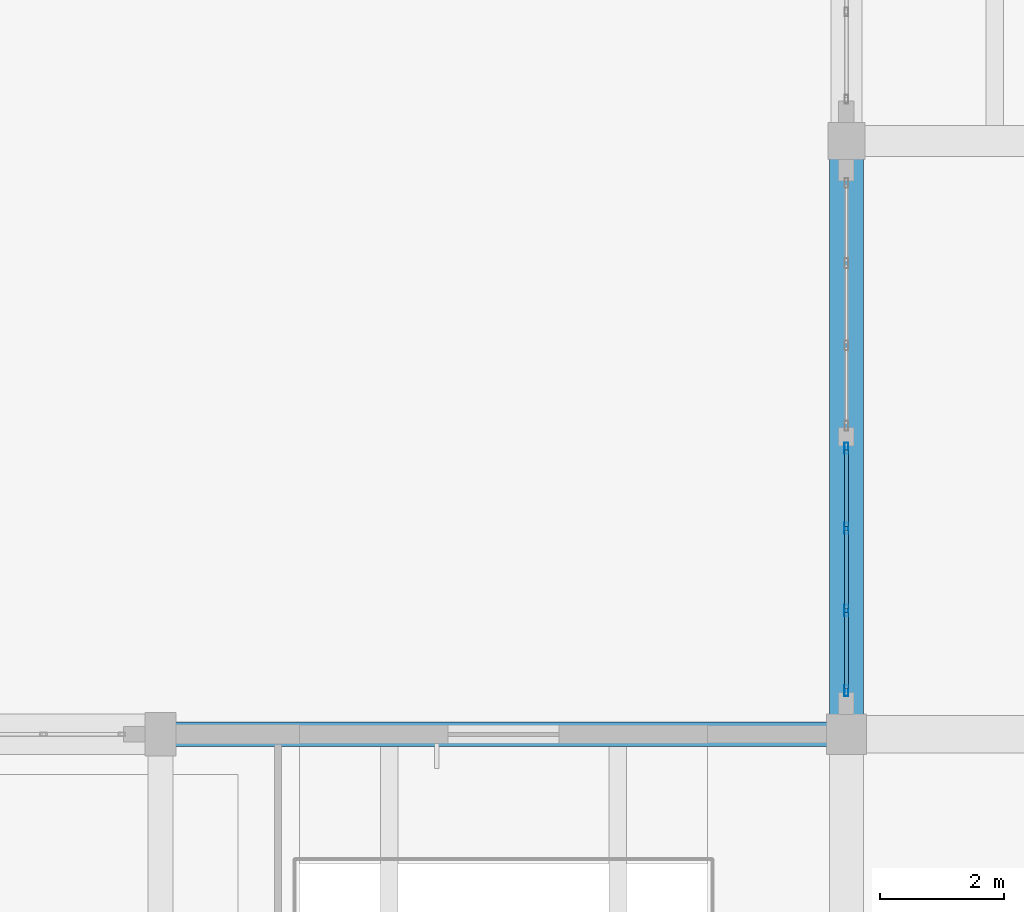
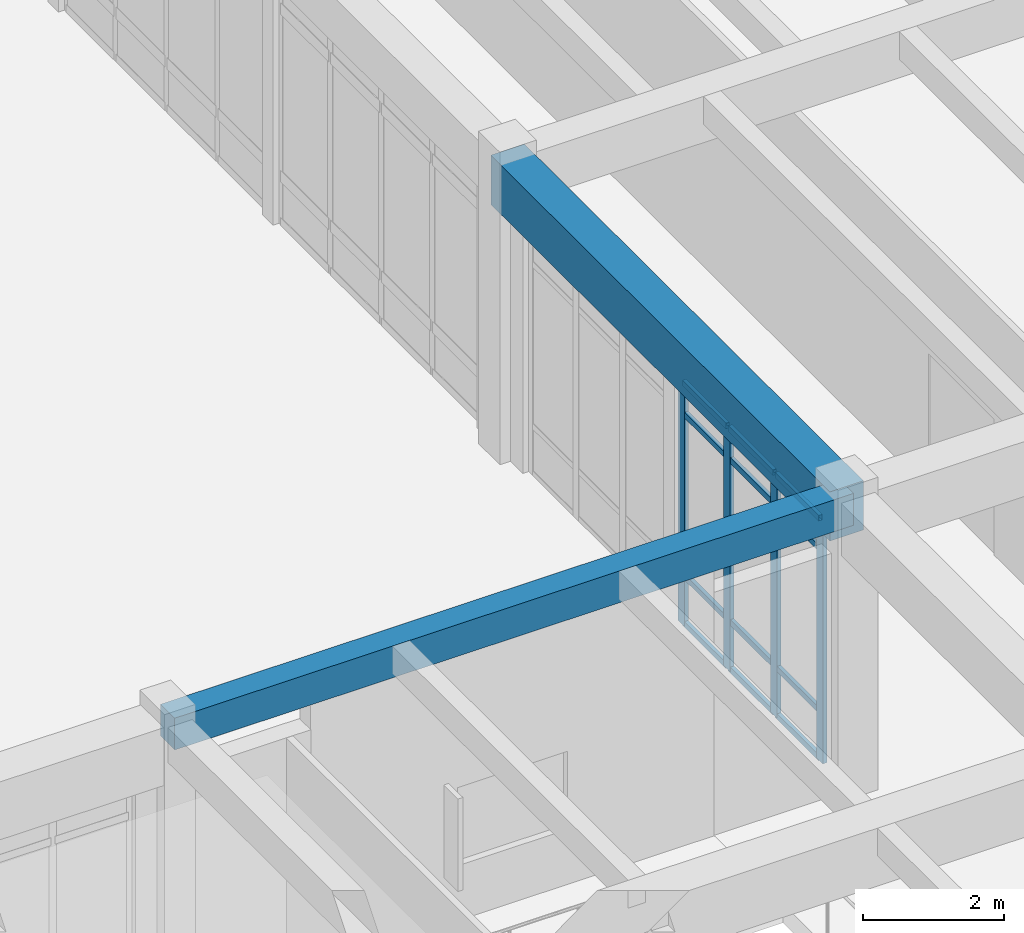
# One storey, part 28 of 138: 16 members, 2 beams, 1 element without a shape of its own.
"""IFC4 building model written with IfcOpenShell, lengths in metres."""

from ifc_helpers import new_model, si_unit, direction, frame, origin, origin_2d, place, context, subcontext, project, spatial, rectangle, hollow_rectangle, extrude, material, layer, layer_set, material_profile, profile_set, type_object, element, aggregate, save


model = new_model("IFC4")

# Units and contexts
model_context = context("Model", 3, precision=1e-05, world=origin(), true_north=direction((0.0, 1.0)))
body_context = subcontext(model_context, "Body", "Model", "MODEL_VIEW")
ifc_project = project(units=[si_unit("LENGTHUNIT", "METRE"), si_unit("AREAUNIT", "SQUARE_METRE"), si_unit("VOLUMEUNIT", "CUBIC_METRE"), si_unit("PLANEANGLEUNIT", "RADIAN"), si_unit("MASSUNIT", "GRAM", prefix="KILO")], contexts=[model_context])

# Site, building, storey
site_placement = place(None, origin())
site = spatial("IfcSite", under=ifc_project, at=site_placement, CompositionType="ELEMENT")
building_placement = place(site_placement, origin())
building = spatial("IfcBuilding", under=site, at=building_placement, Name="Fikremerkos Civic Library", CompositionType="ELEMENT")
storey_placement = place(building_placement, origin())
storey = spatial("IfcBuildingStorey", under=building, at=storey_placement, Name="L00", CompositionType="ELEMENT", Elevation=0.0)

# Curtain wall, members
ifc_material_1 = material(Name="Anodized aluminium Frame", Category="aluminium")
ifc_layer = layer(ifc_material_1, 0.159912109375, Name="Anodized aluminium Frame")
ifc_layer_set = layer_set([ifc_layer], Name="Anodized aluminium Frame")
curtain_wall_type = type_object("IfcCurtainWallType", Name="Unitised curtain wall CW-05 3800x4100", PredefinedType="USERDEFINED", material=ifc_layer_set)
curtain_wall_placement = place(storey_placement, origin())
curtain_wall = element("IfcCurtainWall", 1, at=curtain_wall_placement, inside=storey, type_object=curtain_wall_type, Name="Unitised curtain wall CW-05 L00 #23", ObjectType="UNITISED CURTAIN WALL", PredefinedType="USERDEFINED")
ifc_material_profile_1 = material_profile(ifc_material_1, hollow_rectangle(XDim=0.06494140625, YDim=0.179931640625, WallThickness=0.00439453125, at=origin_2d()), Name="ALU 180x65x4.5")
ifc_profile_set_1 = profile_set([ifc_material_profile_1], Name="Anodized aluminium Frame")
member_type_1 = type_object("IfcMemberType", Name="Curtain mullion CWM-01 ALU 180x65x4.5", PredefinedType="MULLION", material=ifc_profile_set_1)
member_1_placement = place(storey_placement, frame((124.800048828125, 48.70556640625, 0.0), z_axis=(0.0, 0.0, 1.0), x_axis=(-1.0, 0.0, 0.0)))
member_1 = element("IfcMember", 2, at=member_1_placement, type_object=member_type_1, Name="CW-05 mullion 1", PredefinedType="MULLION", context=body_context, shape_type="SweptSolid", body=[
    extrude(hollow_rectangle(XDim=0.06494140625, YDim=0.179931640625, WallThickness=0.00439453125, at=origin_2d()), origin(), (0.0, 0.0, 1.0), 4.199951171875),
])
member_2_placement = place(storey_placement, frame((124.800048828125, 50.0029296875, 0.0), z_axis=(0.0, 0.0, 1.0), x_axis=(-1.0, 0.0, 0.0)))
member_2 = element("IfcMember", 3, at=member_2_placement, type_object=member_type_1, Name="CW-05 mullion 2", PredefinedType="MULLION", context=body_context, shape_type="SweptSolid", body=[
    extrude(hollow_rectangle(XDim=0.06494140625, YDim=0.179931640625, WallThickness=0.00439453125, at=origin_2d()), origin(), (0.0, 0.0, 1.0), 4.199951171875),
])
member_3_placement = place(storey_placement, frame((124.800048828125, 51.332763671875, 0.0), z_axis=(0.0, 0.0, 1.0), x_axis=(-1.0, 0.0, 0.0)))
member_3 = element("IfcMember", 4, at=member_3_placement, type_object=member_type_1, Name="CW-05 mullion 3", PredefinedType="MULLION", context=body_context, shape_type="SweptSolid", body=[
    extrude(hollow_rectangle(XDim=0.06494140625, YDim=0.179931640625, WallThickness=0.00439453125, at=origin_2d()), origin(), (0.0, 0.0, 1.0), 4.199951171875),
])
member_4_placement = place(storey_placement, frame((124.800048828125, 52.6298828125, 0.0), z_axis=(0.0, 0.0, 1.0), x_axis=(-1.0, 0.0, 0.0)))
member_4 = element("IfcMember", 5, at=member_4_placement, type_object=member_type_1, Name="CW-05 mullion 4", PredefinedType="MULLION", context=body_context, shape_type="SweptSolid", body=[
    extrude(hollow_rectangle(XDim=0.06494140625, YDim=0.179931640625, WallThickness=0.00439453125, at=origin_2d()), origin(), (0.0, 0.0, 1.0), 4.199951171875),
])
ifc_material_profile_2 = material_profile(ifc_material_1, hollow_rectangle(XDim=0.06005859375, YDim=0.10009765625, WallThickness=0.00390625, at=origin_2d()), Name="ALU 100x60x4")
ifc_profile_set_2 = profile_set([ifc_material_profile_2], Name="Anodized aluminium Frame")
member_type_2 = type_object("IfcMemberType", Name="Curtain transom CWT-03 ALU 100x60x4", PredefinedType="USERDEFINED", material=ifc_profile_set_2)
member_5_placement = place(storey_placement, frame((124.800048828125, 48.738037109375, 0.030029296875), z_axis=(0.0, 1.0, 0.0), x_axis=(-1.0, 0.0, 0.0)))
member_5 = element("IfcMember", 6, at=member_5_placement, type_object=member_type_2, Name="CW-05 transom 1.1", ObjectType="TRANSOM", PredefinedType="USERDEFINED", context=body_context, shape_type="SweptSolid", body=[
    extrude(hollow_rectangle(XDim=0.06005859375, YDim=0.10009765625, WallThickness=0.00390625, at=origin_2d()), origin(), (0.0, 0.0, 1.0), 1.232177734375),
])
member_6_placement = place(storey_placement, frame((124.800048828125, 48.738037109375, 0.85009765625), z_axis=(0.0, 1.0, 0.0), x_axis=(-1.0, 0.0, 0.0)))
member_6 = element("IfcMember", 7, at=member_6_placement, type_object=member_type_2, Name="CW-05 transom 1.2", ObjectType="TRANSOM", PredefinedType="USERDEFINED", context=body_context, shape_type="SweptSolid", body=[
    extrude(hollow_rectangle(XDim=0.06005859375, YDim=0.10009765625, WallThickness=0.00390625, at=origin_2d()), origin(), (0.0, 0.0, 1.0), 1.232177734375),
])
member_7_placement = place(storey_placement, frame((124.800048828125, 48.738037109375, 3.64990234375), z_axis=(0.0, 1.0, 0.0), x_axis=(-1.0, 0.0, 0.0)))
member_7 = element("IfcMember", 8, at=member_7_placement, type_object=member_type_2, Name="CW-05 transom 1.3", ObjectType="TRANSOM", PredefinedType="USERDEFINED", context=body_context, shape_type="SweptSolid", body=[
    extrude(hollow_rectangle(XDim=0.06005859375, YDim=0.10009765625, WallThickness=0.00390625, at=origin_2d()), origin(), (0.0, 0.0, 1.0), 1.232177734375),
])
member_8_placement = place(storey_placement, frame((124.800048828125, 48.738037109375, 4.169921875), z_axis=(0.0, 1.0, 0.0), x_axis=(-1.0, 0.0, 0.0)))
member_8 = element("IfcMember", 9, at=member_8_placement, type_object=member_type_2, Name="CW-05 transom 1.4", ObjectType="TRANSOM", PredefinedType="USERDEFINED", context=body_context, shape_type="SweptSolid", body=[
    extrude(hollow_rectangle(XDim=0.06005859375, YDim=0.10009765625, WallThickness=0.00390625, at=origin_2d()), origin(), (0.0, 0.0, 1.0), 1.232177734375),
])
member_9_placement = place(storey_placement, frame((124.800048828125, 50.035400390625, 0.030029296875), z_axis=(0.0, 1.0, 0.0), x_axis=(-1.0, 0.0, 0.0)))
member_9 = element("IfcMember", 10, at=member_9_placement, type_object=member_type_2, Name="CW-05 transom 2.1", ObjectType="TRANSOM", PredefinedType="USERDEFINED", context=body_context, shape_type="SweptSolid", body=[
    extrude(hollow_rectangle(XDim=0.06005859375, YDim=0.10009765625, WallThickness=0.00390625, at=origin_2d()), origin(), (0.0, 0.0, 1.0), 1.2646484375),
])
member_10_placement = place(storey_placement, frame((124.800048828125, 50.035400390625, 0.85009765625), z_axis=(0.0, 1.0, 0.0), x_axis=(-1.0, 0.0, 0.0)))
member_10 = element("IfcMember", 11, at=member_10_placement, type_object=member_type_2, Name="CW-05 transom 2.2", ObjectType="TRANSOM", PredefinedType="USERDEFINED", context=body_context, shape_type="SweptSolid", body=[
    extrude(hollow_rectangle(XDim=0.06005859375, YDim=0.10009765625, WallThickness=0.00390625, at=origin_2d()), origin(), (0.0, 0.0, 1.0), 1.2646484375),
])
member_11_placement = place(storey_placement, frame((124.800048828125, 50.035400390625, 3.64990234375), z_axis=(0.0, 1.0, 0.0), x_axis=(-1.0, 0.0, 0.0)))
member_11 = element("IfcMember", 12, at=member_11_placement, type_object=member_type_2, Name="CW-05 transom 2.3", ObjectType="TRANSOM", PredefinedType="USERDEFINED", context=body_context, shape_type="SweptSolid", body=[
    extrude(hollow_rectangle(XDim=0.06005859375, YDim=0.10009765625, WallThickness=0.00390625, at=origin_2d()), origin(), (0.0, 0.0, 1.0), 1.2646484375),
])
member_12_placement = place(storey_placement, frame((124.800048828125, 50.035400390625, 4.169921875), z_axis=(0.0, 1.0, 0.0), x_axis=(-1.0, 0.0, 0.0)))
member_12 = element("IfcMember", 13, at=member_12_placement, type_object=member_type_2, Name="CW-05 transom 2.4", ObjectType="TRANSOM", PredefinedType="USERDEFINED", context=body_context, shape_type="SweptSolid", body=[
    extrude(hollow_rectangle(XDim=0.06005859375, YDim=0.10009765625, WallThickness=0.00390625, at=origin_2d()), origin(), (0.0, 0.0, 1.0), 1.2646484375),
])
member_13_placement = place(storey_placement, frame((124.800048828125, 51.365234375, 0.030029296875), z_axis=(0.0, 1.0, 0.0), x_axis=(-1.0, 0.0, 0.0)))
member_13 = element("IfcMember", 14, at=member_13_placement, type_object=member_type_2, Name="CW-05 transom 3.1", ObjectType="TRANSOM", PredefinedType="USERDEFINED", context=body_context, shape_type="SweptSolid", body=[
    extrude(hollow_rectangle(XDim=0.06005859375, YDim=0.10009765625, WallThickness=0.00390625, at=origin_2d()), origin(), (0.0, 0.0, 1.0), 1.232177734375),
])
member_14_placement = place(storey_placement, frame((124.800048828125, 51.365234375, 0.85009765625), z_axis=(0.0, 1.0, 0.0), x_axis=(-1.0, 0.0, 0.0)))
member_14 = element("IfcMember", 15, at=member_14_placement, type_object=member_type_2, Name="CW-05 transom 3.2", ObjectType="TRANSOM", PredefinedType="USERDEFINED", context=body_context, shape_type="SweptSolid", body=[
    extrude(hollow_rectangle(XDim=0.06005859375, YDim=0.10009765625, WallThickness=0.00390625, at=origin_2d()), origin(), (0.0, 0.0, 1.0), 1.232177734375),
])
member_15_placement = place(storey_placement, frame((124.800048828125, 51.365234375, 3.64990234375), z_axis=(0.0, 1.0, 0.0), x_axis=(-1.0, 0.0, 0.0)))
member_15 = element("IfcMember", 16, at=member_15_placement, type_object=member_type_2, Name="CW-05 transom 3.3", ObjectType="TRANSOM", PredefinedType="USERDEFINED", context=body_context, shape_type="SweptSolid", body=[
    extrude(hollow_rectangle(XDim=0.06005859375, YDim=0.10009765625, WallThickness=0.00390625, at=origin_2d()), origin(), (0.0, 0.0, 1.0), 1.232177734375),
])
member_16_placement = place(storey_placement, frame((124.800048828125, 51.365234375, 4.169921875), z_axis=(0.0, 1.0, 0.0), x_axis=(-1.0, 0.0, 0.0)))
member_16 = element("IfcMember", 17, at=member_16_placement, type_object=member_type_2, Name="CW-05 transom 3.4", ObjectType="TRANSOM", PredefinedType="USERDEFINED", context=body_context, shape_type="SweptSolid", body=[
    extrude(hollow_rectangle(XDim=0.06005859375, YDim=0.10009765625, WallThickness=0.00390625, at=origin_2d()), origin(), (0.0, 0.0, 1.0), 1.232177734375),
])
aggregate(curtain_wall, [member_1, member_2, member_3, member_4, member_5, member_6, member_7, member_8, member_9, member_10, member_11, member_12, member_13, member_14, member_15, member_16])

# Beams
ifc_material_2 = material(Name="Concrete C40/50", Category="concrete")
ifc_material_profile_3 = material_profile(ifc_material_2, rectangle(XDim=0.550048828125, YDim=0.85009765625, at=origin_2d()), Name="RC 550x850")
ifc_profile_set_3 = profile_set([ifc_material_profile_3], Name="Concrete C40/50")
beam_type_1 = type_object("IfcBeamType", Name="Primary girder BM-03 RC 550x850", PredefinedType="BEAM", material=ifc_profile_set_3)
beam_1_placement = place(storey_placement, frame((124.800048828125, 48.0, 4.735107421875), z_axis=(0.0, 1.0, 0.0), x_axis=(-1.0, 0.0, 0.0)))
element("IfcBeam", 18, at=beam_1_placement, inside=storey, type_object=beam_type_1, Name="Primary girder BM-03 L00 grid 11", PredefinedType="BEAM", context=body_context, shape_type="SweptSolid", body=[
    extrude(rectangle(XDim=0.550048828125, YDim=0.85009765625, at=origin_2d()), origin(), (0.0, 0.0, 1.0), 9.60009765625),
])
ifc_material_profile_4 = material_profile(ifc_material_2, rectangle(XDim=0.39990234375, YDim=0.550048828125, at=origin_2d()), Name="RC 400x550")
ifc_profile_set_4 = profile_set([ifc_material_profile_4], Name="Concrete C40/50")
beam_type_2 = type_object("IfcBeamType", Name="Primary girder BM-26 RC 400x550", PredefinedType="BEAM", material=ifc_profile_set_4)
beam_2_placement = place(storey_placement, frame((113.699951171875, 48.0, 4.885009765625), z_axis=(1.0, 0.0, 0.0), x_axis=(0.0, 1.0, 0.0)))
element("IfcBeam", 19, at=beam_2_placement, inside=storey, type_object=beam_type_2, Name="Primary girder BM-26 L00 grid J", PredefinedType="BEAM", context=body_context, shape_type="SweptSolid", body=[
    extrude(rectangle(XDim=0.39990234375, YDim=0.550048828125, at=origin_2d()), origin(), (0.0, 0.0, 1.0), 11.10009765625),
])

save(model, "model.ifc")
